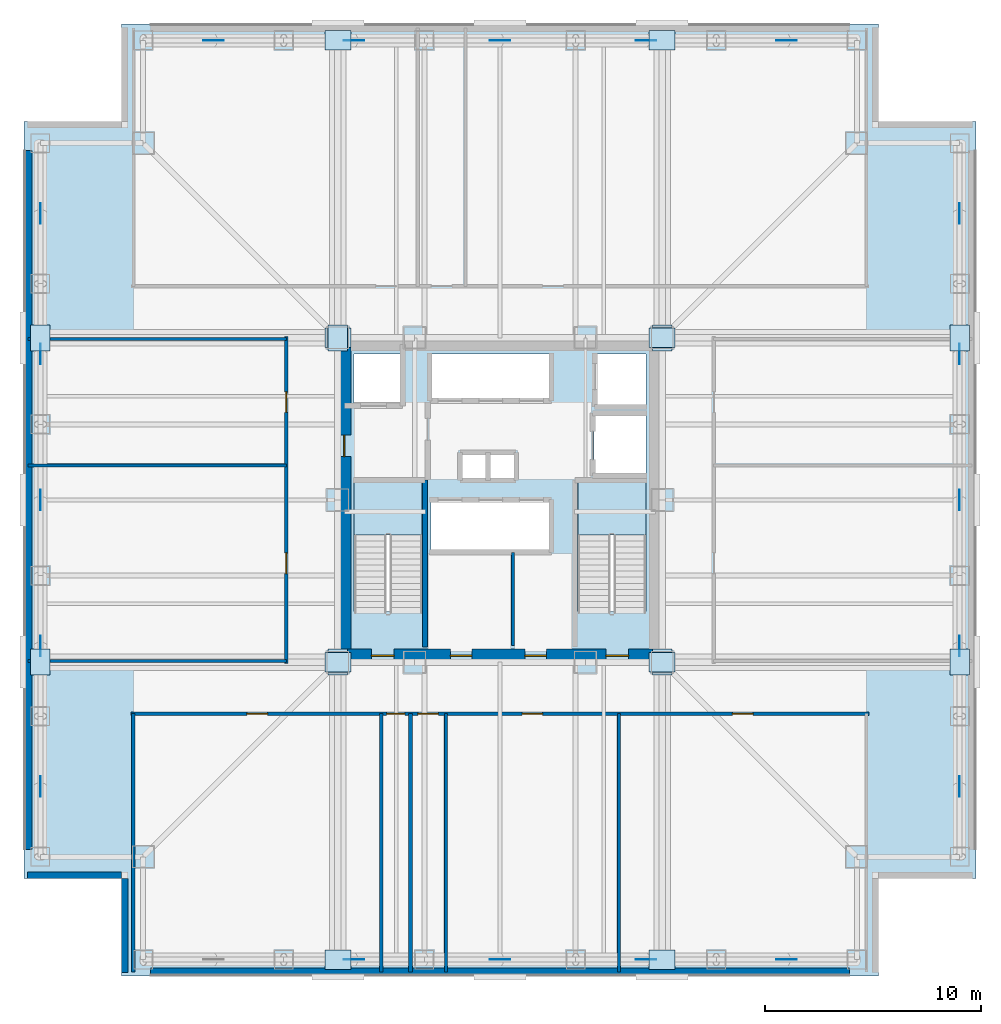
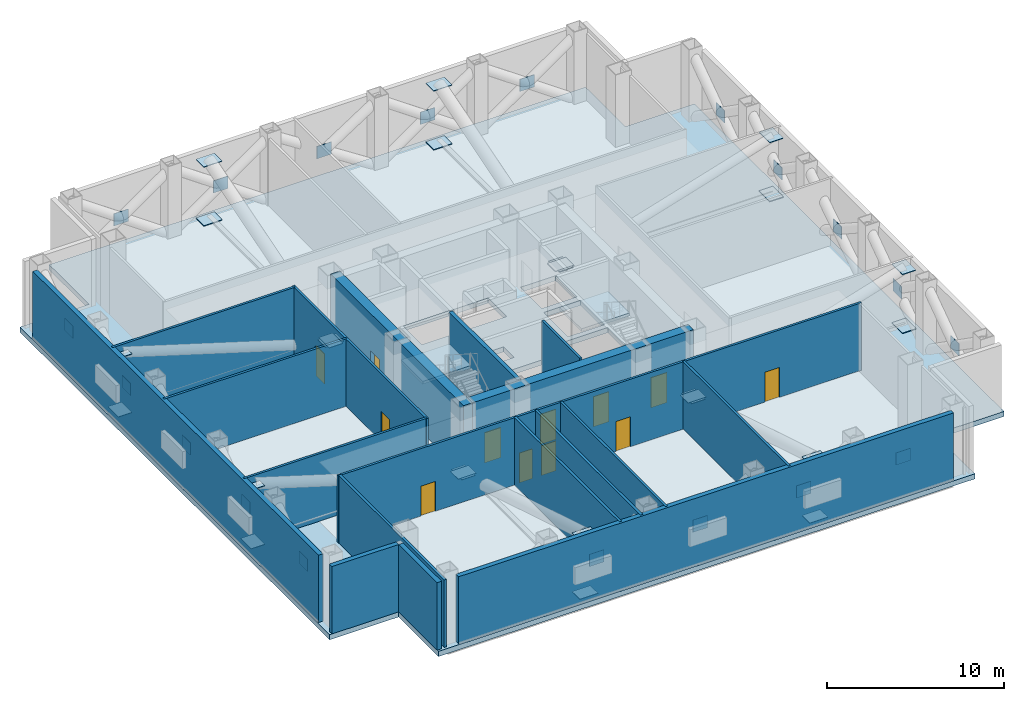
# One storey, part 3 of 8: 43 plates, 18 walls, 12 doors, 3 slabs, 12 openings, 2 elements without a shape of their own.
"""IFC4 building model written with IfcOpenShell, lengths in metres."""

from ifc_helpers import new_model, si_unit, direction, frame, frame_2d, origin, origin_2d, place, context, subcontext, project, spatial, polyline, rectangle, outline, extrude, material, layer, layer_set, type_object, element, fill, aggregate, save


model = new_model("IFC4")

# Units and contexts
model_context = context("Model", 3, precision=1e-05, world=origin(), true_north=direction((0.0, 1.0)))
body_context = subcontext(model_context, "Body", "Model", "MODEL_VIEW")
ifc_project = project(units=[si_unit("LENGTHUNIT", "METRE"), si_unit("AREAUNIT", "SQUARE_METRE"), si_unit("VOLUMEUNIT", "CUBIC_METRE"), si_unit("PLANEANGLEUNIT", "RADIAN"), si_unit("MASSUNIT", "GRAM", prefix="KILO")], contexts=[model_context])

# Site, building, storey
site_placement = place(None, origin())
site = spatial("IfcSite", under=ifc_project, at=site_placement, CompositionType="ELEMENT")
building_placement = place(site_placement, origin())
building = spatial("IfcBuilding", under=site, at=building_placement, Name="Trevonay Congress Spire", CompositionType="ELEMENT")
storey_placement = place(building_placement, frame((0.0, 0.0, 155.199951171875)))
storey = spatial("IfcBuildingStorey", under=building, at=storey_placement, Name="L40", CompositionType="ELEMENT", Elevation=155.199951171875)

# Plates
ifc_material_1 = material(Name="Steel ASTM A572 Grade 50", Category="steel")
ifc_layer_1 = layer(ifc_material_1, 0.034912109375, Name="Steel ASTM A572 Grade 50")
ifc_layer_set_1 = layer_set([ifc_layer_1], Name="Steel ASTM A572 Grade 50")
plate_type_1 = type_object("IfcPlateType", Name="PLT-GUSSET-BELT-35", PredefinedType="USERDEFINED", material=ifc_layer_set_1)
for number, where, z_axis, x_axis, name in (
    (1, (-6.75, -21.25, 1.800048828125), (0.0, 0.0, 1.0), (1.0, 0.0, 0.0), "L40 belt X-brace crossing gusset plate XN-01 S1"),
    (2, (0.0, -21.25, 1.800048828125), (0.0, 0.0, 1.0), (1.0, 0.0, 0.0), "L40 belt X-brace crossing gusset plate XN-01 S2"),
    (3, (6.75, -21.25, 1.800048828125), (0.0, 0.0, 1.0), (1.0, 0.0, 0.0), "L40 belt X-brace crossing gusset plate XN-01 S3"),
    (4, (13.25, -21.25, 1.800048828125), (0.0, 0.0, 1.0), (1.0, 0.0, 0.0), "L40 belt X-brace crossing gusset plate XN-01 S4"),
    (5, (-13.25, 21.25, 1.800048828125), (0.0, 0.0, 1.0), (1.0, 0.0, 0.0), "L40 belt X-brace crossing gusset plate XN-01 N0"),
    (6, (-6.75, 21.25, 1.800048828125), (0.0, 0.0, 1.0), (1.0, 0.0, 0.0), "L40 belt X-brace crossing gusset plate XN-01 N1"),
    (7, (0.0, 21.25, 1.800048828125), (0.0, 0.0, 1.0), (1.0, 0.0, 0.0), "L40 belt X-brace crossing gusset plate XN-01 N2"),
    (8, (6.75, 21.25, 1.800048828125), (0.0, 0.0, 1.0), (1.0, 0.0, 0.0), "L40 belt X-brace crossing gusset plate XN-01 N3"),
    (9, (13.25, 21.25, 1.800048828125), (0.0, 0.0, 1.0), (1.0, 0.0, 0.0), "L40 belt X-brace crossing gusset plate XN-01 N4"),
):
    element("IfcPlate", number, at=place(storey_placement, frame(where, z_axis=z_axis, x_axis=x_axis)), inside=storey, type_object=plate_type_1, Name=name, ObjectType="GUSSET_PLATE", PredefinedType="USERDEFINED", context=body_context, shape_type="SweptSolid", body=[
        extrude(rectangle(XDim=0.949951171875, YDim=0.034912109375, at=origin_2d()), origin(), (0.0, 0.0, 1.0), 0.85009765625),
    ])
for number, where, z_axis, x_axis, name in (
    (10, (-21.25, -13.25, 1.800048828125), (0.0, 0.0, 1.0), (1.0, 0.0, 0.0), "L40 belt X-brace crossing gusset plate XN-01 W0"),
    (11, (-21.25, -6.75, 1.800048828125), (0.0, 0.0, 1.0), (1.0, 0.0, 0.0), "L40 belt X-brace crossing gusset plate XN-01 W1"),
    (12, (-21.25, 0.0, 1.800048828125), (0.0, 0.0, 1.0), (1.0, 0.0, 0.0), "L40 belt X-brace crossing gusset plate XN-01 W2"),
    (13, (-21.25, 6.75, 1.800048828125), (0.0, 0.0, 1.0), (1.0, 0.0, 0.0), "L40 belt X-brace crossing gusset plate XN-01 W3"),
    (14, (-21.25, 13.25, 1.800048828125), (0.0, 0.0, 1.0), (1.0, 0.0, 0.0), "L40 belt X-brace crossing gusset plate XN-01 W4"),
    (15, (21.25, -13.25, 1.800048828125), (0.0, 0.0, 1.0), (1.0, 0.0, 0.0), "L40 belt X-brace crossing gusset plate XN-01 E0"),
    (16, (21.25, -6.75, 1.800048828125), (0.0, 0.0, 1.0), (1.0, 0.0, 0.0), "L40 belt X-brace crossing gusset plate XN-01 E1"),
    (17, (21.25, 0.0, 1.800048828125), (0.0, 0.0, 1.0), (1.0, 0.0, 0.0), "L40 belt X-brace crossing gusset plate XN-01 E2"),
    (18, (21.25, 6.75, 1.800048828125), (0.0, 0.0, 1.0), (1.0, 0.0, 0.0), "L40 belt X-brace crossing gusset plate XN-01 E3"),
    (19, (21.25, 13.25, 1.800048828125), (0.0, 0.0, 1.0), (1.0, 0.0, 0.0), "L40 belt X-brace crossing gusset plate XN-01 E4"),
):
    element("IfcPlate", number, at=place(storey_placement, frame(where, z_axis=z_axis, x_axis=x_axis)), inside=storey, type_object=plate_type_1, Name=name, ObjectType="GUSSET_PLATE", PredefinedType="USERDEFINED", context=body_context, shape_type="SweptSolid", body=[
        extrude(rectangle(XDim=0.034912109375, YDim=0.949951171875, at=origin_2d()), origin(), (0.0, 0.0, 1.0), 0.85009765625),
    ])
ifc_layer_2 = layer(ifc_material_1, 0.044921875, Name="Steel ASTM A572 Grade 50")
ifc_layer_set_2 = layer_set([ifc_layer_2], Name="Steel ASTM A572 Grade 50")
plate_type_2 = type_object("IfcPlateType", Name="PLT-GUSSET-INT-45", PredefinedType="USERDEFINED", material=ifc_layer_set_2)
for number, where, z_axis, x_axis, name in (
    (20, (-7.5, -7.5, 0.027587890625), (0.0, 0.0, 1.0), (1.0, 0.0, 0.0), "L40 outrigger-to-core cast-in embed gusset plate ON-01 (OS-W)"),
    (21, (-7.5, -21.25, 0.07763671875), (0.0, 0.0, 1.0), (1.0, 0.0, 0.0), "L40 outrigger outer-chord gusset plate ON-02 (OS-W)"),
    (22, (-7.5, -21.25, 4.127685546875), (0.0, 0.0, 1.0), (1.0, 0.0, 0.0), "L40 outrigger outer-diagonal gusset plate ON-02 (OS-W)"),
    (23, (7.5, -7.5, 0.027587890625), (0.0, 0.0, 1.0), (1.0, 0.0, 0.0), "L40 outrigger-to-core cast-in embed gusset plate ON-01 (OS-E)"),
    (24, (7.5, -21.25, 0.07763671875), (0.0, 0.0, 1.0), (1.0, 0.0, 0.0), "L40 outrigger outer-chord gusset plate ON-02 (OS-E)"),
    (25, (7.5, -21.25, 4.127685546875), (0.0, 0.0, 1.0), (1.0, 0.0, 0.0), "L40 outrigger outer-diagonal gusset plate ON-02 (OS-E)"),
    (26, (-7.5, 7.5, 0.027587890625), (0.0, 0.0, 1.0), (1.0, 0.0, 0.0), "L40 outrigger-to-core cast-in embed gusset plate ON-01 (ON-W)"),
    (27, (-7.5, 21.25, 0.07763671875), (0.0, 0.0, 1.0), (1.0, 0.0, 0.0), "L40 outrigger outer-chord gusset plate ON-02 (ON-W)"),
    (28, (-7.5, 21.25, 4.127685546875), (0.0, 0.0, 1.0), (1.0, 0.0, 0.0), "L40 outrigger outer-diagonal gusset plate ON-02 (ON-W)"),
    (29, (7.5, 7.5, 0.027587890625), (0.0, 0.0, 1.0), (1.0, 0.0, 0.0), "L40 outrigger-to-core cast-in embed gusset plate ON-01 (ON-E)"),
    (30, (7.5, 21.25, 0.07763671875), (0.0, 0.0, 1.0), (1.0, 0.0, 0.0), "L40 outrigger outer-chord gusset plate ON-02 (ON-E)"),
    (31, (7.5, 21.25, 4.127685546875), (0.0, 0.0, 1.0), (1.0, 0.0, 0.0), "L40 outrigger outer-diagonal gusset plate ON-02 (ON-E)"),
    (32, (-7.5, -7.5, 0.027587890625), (0.0, 0.0, 1.0), (0.0, 1.0, 0.0), "L40 outrigger-to-core cast-in embed gusset plate ON-01 (OW-S)"),
    (33, (-21.25, -7.5, 0.07763671875), (0.0, 0.0, 1.0), (0.0, 1.0, 0.0), "L40 outrigger outer-chord gusset plate ON-02 (OW-S)"),
    (34, (-21.25, -7.5, 4.127685546875), (0.0, 0.0, 1.0), (0.0, 1.0, 0.0), "L40 outrigger outer-diagonal gusset plate ON-02 (OW-S)"),
    (35, (-7.5, 7.5, 0.027587890625), (0.0, 0.0, 1.0), (0.0, 1.0, 0.0), "L40 outrigger-to-core cast-in embed gusset plate ON-01 (OW-N)"),
    (36, (-21.25, 7.5, 0.07763671875), (0.0, 0.0, 1.0), (0.0, 1.0, 0.0), "L40 outrigger outer-chord gusset plate ON-02 (OW-N)"),
    (37, (-21.25, 7.5, 4.127685546875), (0.0, 0.0, 1.0), (0.0, 1.0, 0.0), "L40 outrigger outer-diagonal gusset plate ON-02 (OW-N)"),
    (38, (7.5, -7.5, 0.027587890625), (0.0, 0.0, 1.0), (0.0, 1.0, 0.0), "L40 outrigger-to-core cast-in embed gusset plate ON-01 (OE-S)"),
    (39, (21.25, -7.5, 0.07763671875), (0.0, 0.0, 1.0), (0.0, 1.0, 0.0), "L40 outrigger outer-chord gusset plate ON-02 (OE-S)"),
    (40, (21.25, -7.5, 4.127685546875), (0.0, 0.0, 1.0), (0.0, 1.0, 0.0), "L40 outrigger outer-diagonal gusset plate ON-02 (OE-S)"),
    (41, (7.5, 7.5, 0.027587890625), (0.0, 0.0, 1.0), (0.0, 1.0, 0.0), "L40 outrigger-to-core cast-in embed gusset plate ON-01 (OE-N)"),
    (42, (21.25, 7.5, 0.07763671875), (0.0, 0.0, 1.0), (0.0, 1.0, 0.0), "L40 outrigger outer-chord gusset plate ON-02 (OE-N)"),
    (43, (21.25, 7.5, 4.127685546875), (0.0, 0.0, 1.0), (0.0, 1.0, 0.0), "L40 outrigger outer-diagonal gusset plate ON-02 (OE-N)"),
):
    element("IfcPlate", number, at=place(storey_placement, frame(where, z_axis=z_axis, x_axis=x_axis)), inside=storey, type_object=plate_type_2, Name=name, ObjectType="GUSSET_PLATE", PredefinedType="USERDEFINED", context=body_context, shape_type="SweptSolid", body=[
        extrude(rectangle(XDim=1.199951171875, YDim=0.89990234375, at=origin_2d()), origin(), (0.0, 0.0, 1.0), 0.044921875),
    ])

# Slab
ifc_material_2 = material(Name="Concrete C40/50", Category="concrete")
ifc_layer_3 = layer(ifc_material_2, 0.35009765625, Name="Concrete C40/50")
ifc_layer_set_3 = layer_set([ifc_layer_3], Name="Concrete C40/50")
slab_type_1 = type_object("IfcSlabType", Name="SLB-POD-350", PredefinedType="FLOOR", material=ifc_layer_set_3)
slab_1_placement = place(storey_placement, frame((0.0, 0.0, -0.349853515625)))
element("IfcSlab", 44, at=slab_1_placement, inside=storey, type_object=slab_type_1, Name="L40 structural floor slab", PredefinedType="FLOOR", context=body_context, shape_type="SweptSolid", body=[
    extrude(outline(polyline([(-17.5, -22.0), (17.5, -22.0), (17.5, -17.5), (22.0, -17.5), (22.0, 17.5), (17.5, 17.5), (17.5, 22.0), (-17.5, 22.0), (-17.5, 17.5), (-22.0, 17.5), (-22.0, -17.5), (-17.5, -17.5), (-17.5, -22.0)]), holes=[polyline([(-3.60009765625, -5.14990234375), (-3.60009765625, 0.85009765625), (-6.75, 0.85009765625), (-6.75, -5.14990234375), (-3.60009765625, -5.14990234375)]), polyline([(6.75, -5.14990234375), (6.75, 0.85009765625), (3.60009765625, 0.85009765625), (3.60009765625, -5.14990234375), (6.75, -5.14990234375)]), polyline([(-3.199951171875, -2.35009765625), (2.340087890625, -2.35009765625), (2.340087890625, -0.050048828125), (-3.199951171875, -0.050048828125), (-3.199951171875, -2.35009765625)]), polyline([(-3.199951171875, 4.64990234375), (2.340087890625, 4.64990234375), (2.340087890625, 6.75), (-3.199951171875, 6.75), (-3.199951171875, 4.64990234375)]), polyline([(-6.75, 4.35009765625), (-4.449951171875, 4.35009765625), (-4.449951171875, 6.75), (-6.75, 6.75), (-6.75, 4.35009765625)]), polyline([(4.449951171875, 4.35009765625), (6.75, 4.35009765625), (6.75, 6.75), (4.449951171875, 6.75), (4.449951171875, 4.35009765625)]), polyline([(4.35009765625, 1.199951171875), (6.75, 1.199951171875), (6.75, 3.949951171875), (4.35009765625, 3.949951171875), (4.35009765625, 1.199951171875)]), polyline([(-1.800048828125, 0.949951171875), (0.699951171875, 0.949951171875), (0.699951171875, 2.14990234375), (-1.800048828125, 2.14990234375), (-1.800048828125, 0.949951171875)])]), origin(), (0.0, 0.0, 1.0), 0.349853515625),
])

# Stair, slab
stair_type_1 = type_object("IfcStairType", Name="STR-ST-1", PredefinedType="HALF_TURN_STAIR", material=ifc_material_2)
stair_1_placement = place(storey_placement, origin())
stair_1 = element("IfcStair", 45, at=stair_1_placement, inside=storey, type_object=stair_type_1, Name="L40 Protected Exit Stair ST-1", PredefinedType="HALF_TURN_STAIR")
ifc_layer_4 = layer(ifc_material_2, 0.199951171875, Name="Concrete C40/50")
ifc_layer_set_4 = layer_set([ifc_layer_4], Name="Concrete C40/50")
slab_type_2 = type_object("IfcSlabType", Name="SLB-STAIR-LAND-200", PredefinedType="LANDING", material=ifc_layer_set_4)
slab_2_placement = place(storey_placement, frame((0.0, 0.0, 2.300048828125)))
slab_2 = element("IfcSlab", 46, at=slab_2_placement, type_object=slab_type_2, Name="ST-1 landing 1", PredefinedType="LANDING", context=body_context, shape_type="SweptSolid", body=[
    extrude(outline(polyline([(-3.60009765625, -1.610107421875), (-3.60009765625, 0.85009765625), (-6.75, 0.85009765625), (-6.75, -1.610107421875), (-3.60009765625, -1.610107421875)])), origin(), (0.0, 0.0, 1.0), 0.199951171875),
])
aggregate(stair_1, [slab_2])

stair_type_2 = type_object("IfcStairType", Name="STR-ST-2", PredefinedType="HALF_TURN_STAIR", material=ifc_material_2)
stair_2_placement = place(storey_placement, origin())
stair_2 = element("IfcStair", 47, at=stair_2_placement, inside=storey, type_object=stair_type_2, Name="L40 Protected Exit Stair ST-2", PredefinedType="HALF_TURN_STAIR")
slab_3_placement = place(storey_placement, frame((0.0, 0.0, 2.300048828125)))
slab_3 = element("IfcSlab", 48, at=slab_3_placement, type_object=slab_type_2, Name="ST-2 landing 1", PredefinedType="LANDING", context=body_context, shape_type="SweptSolid", body=[
    extrude(outline(polyline([(6.75, -1.610107421875), (6.75, 0.85009765625), (3.60009765625, 0.85009765625), (3.60009765625, -1.610107421875), (6.75, -1.610107421875)])), origin(), (0.0, 0.0, 1.0), 0.199951171875),
])
aggregate(stair_2, [slab_3])

# Wall, openings, doors
ifc_material_3 = material(Name="Concrete C60/75", Category="concrete")
ifc_layer_5 = layer(ifc_material_3, 0.60009765625, Name="Concrete C60/75")
ifc_layer_set_5 = layer_set([ifc_layer_5], Name="Concrete C60/75")
wall_type_1 = type_object("IfcWallType", Name="WAL-CORE-600", PredefinedType="SHEAR", material=ifc_layer_set_5)
wall_1_placement = place(storey_placement, frame((-7.5, -7.199951171875, 0.0), z_axis=(0.0, 0.0, 1.0), x_axis=(1.0, 0.0, 0.0)))
wall_1 = element("IfcWall", 49, at=wall_1_placement, inside=storey, type_object=wall_type_1, Name="L40 South structural core shear wall", PredefinedType="SHEAR", context=body_context, shape_type="SweptSolid", body=[
    extrude(rectangle(XDim=15.0, YDim=0.60009765625, at=frame_2d((7.5, 0.0))), origin(), (0.0, 0.0, 1.0), 4.650146484375),
])
opening_1_placement = place(wall_1_placement, frame((1.550048828125, 0.0, 0.0)))
opening_1 = element("IfcOpeningElement", 50, at=opening_1_placement, cuts=wall_1, Name="Opening D05", PredefinedType="OPENING", context=body_context, shape_type="SweptSolid", body=[
    extrude(rectangle(XDim=1.050048828125, YDim=2.080078125, at=frame_2d((0.52490234375, 1.0400390625))), frame((0.0, 0.31005859375, 0.0), z_axis=(0.0, -1.0, 0.0), x_axis=(1.0, 0.0, 0.0)), (0.0, 0.0, 1.0), 0.6201171875),
])
opening_2_placement = place(wall_1_placement, frame((12.39990234375, 0.0, 0.0)))
opening_2 = element("IfcOpeningElement", 51, at=opening_2_placement, cuts=wall_1, Name="Opening D05", PredefinedType="OPENING", context=body_context, shape_type="SweptSolid", body=[
    extrude(rectangle(XDim=1.050048828125, YDim=2.080078125, at=frame_2d((0.52490234375, 1.0400390625))), frame((0.0, 0.31005859375, 0.0), z_axis=(0.0, -1.0, 0.0), x_axis=(1.0, 0.0, 0.0)), (0.0, 0.0, 1.0), 0.6201171875),
])
opening_3_placement = place(wall_1_placement, frame((5.199951171875, 0.0, 0.0)))
opening_3 = element("IfcOpeningElement", 52, at=opening_3_placement, cuts=wall_1, Name="Opening D06", PredefinedType="OPENING", context=body_context, shape_type="SweptSolid", body=[
    extrude(rectangle(XDim=1.0, YDim=2.080078125, at=frame_2d((0.5, 1.0400390625))), frame((0.0, 0.31005859375, 0.0), z_axis=(0.0, -1.0, 0.0), x_axis=(1.0, 0.0, 0.0)), (0.0, 0.0, 1.0), 0.6201171875),
])
opening_4_placement = place(wall_1_placement, frame((8.64990234375, 0.0, 0.0)))
opening_4 = element("IfcOpeningElement", 53, at=opening_4_placement, cuts=wall_1, Name="Opening D06", PredefinedType="OPENING", context=body_context, shape_type="SweptSolid", body=[
    extrude(rectangle(XDim=1.0, YDim=2.080078125, at=frame_2d((0.5, 1.0400390625))), frame((0.0, 0.31005859375, 0.0), z_axis=(0.0, -1.0, 0.0), x_axis=(1.0, 0.0, 0.0)), (0.0, 0.0, 1.0), 0.6201171875),
])
door_type_1 = type_object("IfcDoorType", Name="DOR-FIRE-100", OperationType="NOTDEFINED", PredefinedType="DOOR", material=ifc_material_1)
door_1_placement = place(opening_3_placement, origin())
door_1 = element("IfcDoor", 54, at=door_1_placement, inside=storey, type_object=door_type_1, Name="L40 South Core Room 1 Door", OperationType="SINGLE_SWING_RIGHT", OverallHeight=2.080078125, OverallWidth=1.0, PredefinedType="DOOR", context=body_context, shape_type="SweptSolid", body=[
    extrude(rectangle(XDim=1.0, YDim=2.080078125, at=frame_2d((0.5, 1.0400390625))), frame((0.0, 0.02490234375, 0.0), z_axis=(0.0, -1.0, 0.0), x_axis=(1.0, 0.0, 0.0)), (0.0, 0.0, 1.0), 0.050048828125),
])
fill(opening_3, door_1)
door_2_placement = place(opening_4_placement, origin())
door_2 = element("IfcDoor", 55, at=door_2_placement, inside=storey, type_object=door_type_1, Name="L40 South Core Room 2 Door", OperationType="SINGLE_SWING_LEFT", OverallHeight=2.080078125, OverallWidth=1.0, PredefinedType="DOOR", context=body_context, shape_type="SweptSolid", body=[
    extrude(rectangle(XDim=1.0, YDim=2.080078125, at=frame_2d((0.5, 1.0400390625))), frame((0.0, 0.02490234375, 0.0), z_axis=(0.0, -1.0, 0.0), x_axis=(1.0, 0.0, 0.0)), (0.0, 0.0, 1.0), 0.050048828125),
])
fill(opening_4, door_2)
door_type_2 = type_object("IfcDoorType", Name="DOR-STAIR-110", OperationType="NOTDEFINED", PredefinedType="DOOR", material=ifc_material_1)
door_3_placement = place(opening_1_placement, origin())
door_3 = element("IfcDoor", 56, at=door_3_placement, inside=storey, type_object=door_type_2, Name="L40 Protected Stair ST-1 Door", OperationType="SINGLE_SWING_LEFT", OverallHeight=2.080078125, OverallWidth=1.050048828125, PredefinedType="DOOR", context=body_context, shape_type="SweptSolid", body=[
    extrude(rectangle(XDim=1.050048828125, YDim=2.080078125, at=frame_2d((0.52490234375, 1.0400390625))), frame((0.0, 0.02490234375, 0.0), z_axis=(0.0, -1.0, 0.0), x_axis=(1.0, 0.0, 0.0)), (0.0, 0.0, 1.0), 0.050048828125),
])
fill(opening_1, door_3)
door_4_placement = place(opening_2_placement, origin())
door_4 = element("IfcDoor", 57, at=door_4_placement, inside=storey, type_object=door_type_2, Name="L40 Protected Stair ST-2 Door", OperationType="SINGLE_SWING_RIGHT", OverallHeight=2.080078125, OverallWidth=1.050048828125, PredefinedType="DOOR", context=body_context, shape_type="SweptSolid", body=[
    extrude(rectangle(XDim=1.050048828125, YDim=2.080078125, at=frame_2d((0.52490234375, 1.0400390625))), frame((0.0, 0.02490234375, 0.0), z_axis=(0.0, -1.0, 0.0), x_axis=(1.0, 0.0, 0.0)), (0.0, 0.0, 1.0), 0.050048828125),
])
fill(opening_2, door_4)

# Wall, opening, door
wall_2_placement = place(storey_placement, frame((-7.199951171875, -7.5, 0.0), z_axis=(0.0, 0.0, 1.0), x_axis=(0.0, 1.0, 0.0)))
wall_2 = element("IfcWall", 58, at=wall_2_placement, inside=storey, type_object=wall_type_1, Name="L40 West structural core shear wall", PredefinedType="SHEAR", context=body_context, shape_type="SweptSolid", body=[
    extrude(rectangle(XDim=15.0, YDim=0.60009765625, at=frame_2d((7.5, 0.0))), origin(), (0.0, 0.0, 1.0), 4.650146484375),
])
opening_5_placement = place(wall_2_placement, frame((9.5, 0.0, 0.0)))
opening_5 = element("IfcOpeningElement", 59, at=opening_5_placement, cuts=wall_2, Name="Opening D06", PredefinedType="OPENING", context=body_context, shape_type="SweptSolid", body=[
    extrude(rectangle(XDim=1.0, YDim=2.080078125, at=frame_2d((0.5, 1.0400390625))), frame((0.0, 0.31005859375, 0.0), z_axis=(0.0, -1.0, 0.0), x_axis=(1.0, 0.0, 0.0)), (0.0, 0.0, 1.0), 0.6201171875),
])
door_5_placement = place(opening_5_placement, origin())
door_5 = element("IfcDoor", 60, at=door_5_placement, inside=storey, type_object=door_type_1, Name="L40 Firefighting Lift Lobby West Corridor Door", OperationType="SINGLE_SWING_LEFT", OverallHeight=2.080078125, OverallWidth=1.0, PredefinedType="DOOR", context=body_context, shape_type="SweptSolid", body=[
    extrude(rectangle(XDim=1.0, YDim=2.080078125, at=frame_2d((0.5, 1.0400390625))), frame((0.0, 0.02490234375, 0.0), z_axis=(0.0, -1.0, 0.0), x_axis=(1.0, 0.0, 0.0)), (0.0, 0.0, 1.0), 0.050048828125),
])
fill(opening_5, door_5)

# Wall, openings, doors
ifc_layer_6 = layer(ifc_material_2, 0.14990234375, Name="Concrete C40/50")
ifc_layer_set_6 = layer_set([ifc_layer_6], Name="Concrete C40/50")
wall_type_2 = type_object("IfcWallType", Name="WAL-CORR-150", PredefinedType="PARTITIONING", material=ifc_layer_set_6)
wall_3_placement = place(storey_placement, frame((-17.070068359375, -9.8798828125, 0.0), z_axis=(0.0, 0.0, 1.0), x_axis=(1.0, 0.0, 0.0)))
wall_3 = element("IfcWall", 61, at=wall_3_placement, inside=storey, type_object=wall_type_2, Name="L40 interior wall WP-L40S-COR", PredefinedType="PARTITIONING", context=body_context, shape_type="SweptSolid", body=[
    extrude(rectangle(XDim=34.14013671875, YDim=0.14990234375, at=frame_2d((17.070068359375, 0.0))), origin(), (0.0, 0.0, 1.0), 4.650146484375),
])
opening_6_placement = place(wall_3_placement, frame((5.3701171875, 0.0, 0.0)))
opening_6 = element("IfcOpeningElement", 62, at=opening_6_placement, cuts=wall_3, Name="Opening D07", PredefinedType="OPENING", context=body_context, shape_type="SweptSolid", body=[
    extrude(rectangle(XDim=0.949951171875, YDim=2.06005859375, at=frame_2d((0.47509765625, 1.030029296875))), frame((0.0, 0.0849609375, 0.0), z_axis=(0.0, -1.0, 0.0), x_axis=(1.0, 0.0, 0.0)), (0.0, 0.0, 1.0), 0.169921875),
])
opening_7_placement = place(wall_3_placement, frame((11.824951171875, 0.0, 0.0)))
opening_7 = element("IfcOpeningElement", 63, at=opening_7_placement, cuts=wall_3, Name="Opening D10", PredefinedType="OPENING", context=body_context, shape_type="SweptSolid", body=[
    extrude(rectangle(XDim=0.85009765625, YDim=2.050048828125, at=frame_2d((0.425048828125, 1.02490234375))), frame((0.0, 0.0849609375, 0.0), z_axis=(0.0, -1.0, 0.0), x_axis=(1.0, 0.0, 0.0)), (0.0, 0.0, 1.0), 0.169921875),
])
opening_8_placement = place(wall_3_placement, frame((13.27490234375, 0.0, 0.0)))
opening_8 = element("IfcOpeningElement", 64, at=opening_8_placement, cuts=wall_3, Name="Opening D07", PredefinedType="OPENING", context=body_context, shape_type="SweptSolid", body=[
    extrude(rectangle(XDim=0.949951171875, YDim=2.06005859375, at=frame_2d((0.47509765625, 1.030029296875))), frame((0.0, 0.0849609375, 0.0), z_axis=(0.0, -1.0, 0.0), x_axis=(1.0, 0.0, 0.0)), (0.0, 0.0, 1.0), 0.169921875),
])
opening_9_placement = place(wall_3_placement, frame((18.094970703125, 0.0, 0.0)))
opening_9 = element("IfcOpeningElement", 65, at=opening_9_placement, cuts=wall_3, Name="Opening D07", PredefinedType="OPENING", context=body_context, shape_type="SweptSolid", body=[
    extrude(rectangle(XDim=0.949951171875, YDim=2.06005859375, at=frame_2d((0.47509765625, 1.030029296875))), frame((0.0, 0.0849609375, 0.0), z_axis=(0.0, -1.0, 0.0), x_axis=(1.0, 0.0, 0.0)), (0.0, 0.0, 1.0), 0.169921875),
])
opening_10_placement = place(wall_3_placement, frame((27.820068359375, 0.0, 0.0)))
opening_10 = element("IfcOpeningElement", 66, at=opening_10_placement, cuts=wall_3, Name="Opening D07", PredefinedType="OPENING", context=body_context, shape_type="SweptSolid", body=[
    extrude(rectangle(XDim=0.949951171875, YDim=2.06005859375, at=frame_2d((0.47509765625, 1.030029296875))), frame((0.0, 0.0849609375, 0.0), z_axis=(0.0, -1.0, 0.0), x_axis=(1.0, 0.0, 0.0)), (0.0, 0.0, 1.0), 0.169921875),
])
ifc_material_4 = material(Name="Pale Anodised Aluminium EN AW-6063-T6", Category="aluminium")
door_type_3 = type_object("IfcDoorType", Name="DOR-OFFICE-95", OperationType="NOTDEFINED", PredefinedType="DOOR", material=ifc_material_4)
door_6_placement = place(opening_6_placement, origin())
door_6 = element("IfcDoor", 67, at=door_6_placement, inside=storey, type_object=door_type_3, Name="L40 Chiller and Heat-Pump Plant Door", OperationType="SINGLE_SWING_LEFT", OverallHeight=2.06005859375, OverallWidth=0.949951171875, PredefinedType="DOOR", context=body_context, shape_type="SweptSolid", body=[
    extrude(rectangle(XDim=0.949951171875, YDim=2.06005859375, at=frame_2d((0.47509765625, 1.030029296875))), frame((0.0, 0.02490234375, 0.0), z_axis=(0.0, -1.0, 0.0), x_axis=(1.0, 0.0, 0.0)), (0.0, 0.0, 1.0), 0.050048828125),
])
fill(opening_6, door_6)
door_7_placement = place(opening_8_placement, origin())
door_7 = element("IfcDoor", 68, at=door_7_placement, inside=storey, type_object=door_type_3, Name="L40 Floor Supplies and Copy Room Door", OperationType="SINGLE_SWING_LEFT", OverallHeight=2.06005859375, OverallWidth=0.949951171875, PredefinedType="DOOR", context=body_context, shape_type="SweptSolid", body=[
    extrude(rectangle(XDim=0.949951171875, YDim=2.06005859375, at=frame_2d((0.47509765625, 1.030029296875))), frame((0.0, 0.02490234375, 0.0), z_axis=(0.0, -1.0, 0.0), x_axis=(1.0, 0.0, 0.0)), (0.0, 0.0, 1.0), 0.050048828125),
])
fill(opening_8, door_7)
door_8_placement = place(opening_9_placement, origin())
door_8 = element("IfcDoor", 69, at=door_8_placement, inside=storey, type_object=door_type_3, Name="L40 Primary AHU Supply Plant Door", OperationType="SINGLE_SWING_RIGHT", OverallHeight=2.06005859375, OverallWidth=0.949951171875, PredefinedType="DOOR", context=body_context, shape_type="SweptSolid", body=[
    extrude(rectangle(XDim=0.949951171875, YDim=2.06005859375, at=frame_2d((0.47509765625, 1.030029296875))), frame((0.0, 0.02490234375, 0.0), z_axis=(0.0, -1.0, 0.0), x_axis=(1.0, 0.0, 0.0)), (0.0, 0.0, 1.0), 0.050048828125),
])
fill(opening_9, door_8)
door_9_placement = place(opening_10_placement, origin())
door_9 = element("IfcDoor", 70, at=door_9_placement, inside=storey, type_object=door_type_3, Name="L40 Heat-Recovery Exhaust Plant Door", OperationType="SINGLE_SWING_LEFT", OverallHeight=2.06005859375, OverallWidth=0.949951171875, PredefinedType="DOOR", context=body_context, shape_type="SweptSolid", body=[
    extrude(rectangle(XDim=0.949951171875, YDim=2.06005859375, at=frame_2d((0.47509765625, 1.030029296875))), frame((0.0, 0.02490234375, 0.0), z_axis=(0.0, -1.0, 0.0), x_axis=(1.0, 0.0, 0.0)), (0.0, 0.0, 1.0), 0.050048828125),
])
fill(opening_10, door_9)
door_type_4 = type_object("IfcDoorType", Name="DOR-WC-85", OperationType="NOTDEFINED", PredefinedType="DOOR", material=ifc_material_4)
door_10_placement = place(opening_7_placement, origin())
door_10 = element("IfcDoor", 71, at=door_10_placement, inside=storey, type_object=door_type_4, Name="L40 Accessible Refuge WC Door", OperationType="SINGLE_SWING_RIGHT", OverallHeight=2.050048828125, OverallWidth=0.85009765625, PredefinedType="DOOR", context=body_context, shape_type="SweptSolid", body=[
    extrude(rectangle(XDim=0.85009765625, YDim=2.050048828125, at=frame_2d((0.425048828125, 1.02490234375))), frame((0.0, 0.02490234375, 0.0), z_axis=(0.0, -1.0, 0.0), x_axis=(1.0, 0.0, 0.0)), (0.0, 0.0, 1.0), 0.050048828125),
])
fill(opening_7, door_10)

wall_4_placement = place(storey_placement, frame((-9.8798828125, -7.570068359375, 0.0), z_axis=(0.0, 0.0, 1.0), x_axis=(0.0, 1.0, 0.0)))
wall_4 = element("IfcWall", 72, at=wall_4_placement, inside=storey, type_object=wall_type_2, Name="L40 interior wall WP-L40W-COR", PredefinedType="PARTITIONING", context=body_context, shape_type="SweptSolid", body=[
    extrude(rectangle(XDim=15.14013671875, YDim=0.14990234375, at=frame_2d((7.570068359375, 0.0))), origin(), (0.0, 0.0, 1.0), 4.650146484375),
])
opening_11_placement = place(wall_4_placement, frame((4.169921875, 0.0, 0.0)))
opening_11 = element("IfcOpeningElement", 73, at=opening_11_placement, cuts=wall_4, Name="Opening D07", PredefinedType="OPENING", context=body_context, shape_type="SweptSolid", body=[
    extrude(rectangle(XDim=0.949951171875, YDim=2.06005859375, at=frame_2d((0.47509765625, 1.030029296875))), frame((0.0, 0.0849609375, 0.0), z_axis=(0.0, -1.0, 0.0), x_axis=(1.0, 0.0, 0.0)), (0.0, 0.0, 1.0), 0.169921875),
])
opening_12_placement = place(wall_4_placement, frame((11.6201171875, 0.0, 0.0)))
opening_12 = element("IfcOpeningElement", 74, at=opening_12_placement, cuts=wall_4, Name="Opening D07", PredefinedType="OPENING", context=body_context, shape_type="SweptSolid", body=[
    extrude(rectangle(XDim=0.949951171875, YDim=2.06005859375, at=frame_2d((0.47509765625, 1.030029296875))), frame((0.0, 0.0849609375, 0.0), z_axis=(0.0, -1.0, 0.0), x_axis=(1.0, 0.0, 0.0)), (0.0, 0.0, 1.0), 0.169921875),
])
door_11_placement = place(opening_11_placement, origin())
door_11 = element("IfcDoor", 75, at=door_11_placement, inside=storey, type_object=door_type_3, Name="L40 Refuge Area West Door", OperationType="SINGLE_SWING_LEFT", OverallHeight=2.06005859375, OverallWidth=0.949951171875, PredefinedType="DOOR", context=body_context, shape_type="SweptSolid", body=[
    extrude(rectangle(XDim=0.949951171875, YDim=2.06005859375, at=frame_2d((0.47509765625, 1.030029296875))), frame((0.0, 0.02490234375, 0.0), z_axis=(0.0, -1.0, 0.0), x_axis=(1.0, 0.0, 0.0)), (0.0, 0.0, 1.0), 0.050048828125),
])
fill(opening_11, door_11)
door_12_placement = place(opening_12_placement, origin())
door_12 = element("IfcDoor", 76, at=door_12_placement, inside=storey, type_object=door_type_3, Name="L40 Pressurization Fan Room West Door", OperationType="SINGLE_SWING_RIGHT", OverallHeight=2.06005859375, OverallWidth=0.949951171875, PredefinedType="DOOR", context=body_context, shape_type="SweptSolid", body=[
    extrude(rectangle(XDim=0.949951171875, YDim=2.06005859375, at=frame_2d((0.47509765625, 1.030029296875))), frame((0.0, 0.02490234375, 0.0), z_axis=(0.0, -1.0, 0.0), x_axis=(1.0, 0.0, 0.0)), (0.0, 0.0, 1.0), 0.050048828125),
])
fill(opening_12, door_12)

# Walls
ifc_material_5 = material(Name="Precast concrete C40/50", Category="concrete")
ifc_layer_7 = layer(ifc_material_5, 0.300048828125, Name="Precast concrete C40/50")
ifc_layer_set_7 = layer_set([ifc_layer_7], Name="Precast concrete C40/50")
wall_type_3 = type_object("IfcWallType", Name="WAL-EXT-PRECAST-300", PredefinedType="SOLIDWALL", material=ifc_layer_set_7)
for number, where, z_axis, x_axis, name in (
    (77, (-16.14990234375, -21.800048828125, 0.0), (0.0, 0.0, 1.0), (1.0, 0.0, 0.0), "L40 S outrigger plant backup wall"),
    (78, (-21.800048828125, -16.14990234375, 0.0), (0.0, 0.0, 1.0), (0.0, 1.0, 0.0), "L40 W outrigger plant backup wall"),
):
    element("IfcWall", number, at=place(storey_placement, frame(where, z_axis=z_axis, x_axis=x_axis)), inside=storey, type_object=wall_type_3, Name=name, PredefinedType="SOLIDWALL", context=body_context, shape_type="SweptSolid", body=[
        extrude(rectangle(XDim=32.2998046875, YDim=0.300048828125, at=frame_2d((16.14990234375, 0.0))), origin(), (0.0, 0.0, 1.0), 4.650146484375),
    ])
for number, where, z_axis, x_axis, name in (
    (79, (-17.35009765625, -21.85009765625, 0.0), (0.0, 0.0, 1.0), (0.0, 1.0, 0.0), "L40 SW plant notch wall 1"),
    (80, (-21.85009765625, -17.35009765625, 0.0), (0.0, 0.0, 1.0), (1.0, 0.0, 0.0), "L40 SW plant notch wall 2"),
):
    element("IfcWall", number, at=place(storey_placement, frame(where, z_axis=z_axis, x_axis=x_axis)), inside=storey, type_object=wall_type_3, Name=name, PredefinedType="SOLIDWALL", context=body_context, shape_type="SweptSolid", body=[
        extrude(rectangle(XDim=4.35009765625, YDim=0.300048828125, at=frame_2d((2.175048828125, 0.0))), origin(), (0.0, 0.0, 1.0), 4.650146484375),
    ])
ifc_layer_8 = layer(ifc_material_2, 0.14990234375, Name="Concrete C40/50")
ifc_layer_set_8 = layer_set([ifc_layer_8], Name="Concrete C40/50")
wall_type_4 = type_object("IfcWallType", Name="WAL-PART-150", PredefinedType="PARTITIONING", material=ifc_layer_set_8)
wall_5_placement = place(storey_placement, frame((0.60009765625, -6.719970703125, 0.0), z_axis=(0.0, 0.0, 1.0), x_axis=(0.0, 1.0, 0.0)))
element("IfcWall", 81, at=wall_5_placement, inside=storey, type_object=wall_type_4, Name="L40 interior wall CW-F1V-L40", PredefinedType="PARTITIONING", context=body_context, shape_type="SweptSolid", body=[
    extrude(rectangle(XDim=4.2900390625, YDim=0.14990234375, at=frame_2d((2.14501953125, 0.0))), origin(), (0.0, 0.0, 1.0), 4.650146484375),
])
for number, where, z_axis, x_axis, name in (
    (82, (-2.5, -21.820068359375, 0.0), (0.0, 0.0, 1.0), (0.0, 1.0, 0.0), "L40 interior wall WP-L40S-DIV3"),
    (83, (5.5, -21.820068359375, 0.0), (0.0, 0.0, 1.0), (0.0, 1.0, 0.0), "L40 interior wall WP-L40S-DIV4"),
    (84, (-21.820068359375, -7.449951171875, 0.0), (0.0, 0.0, 1.0), (1.0, 0.0, 0.0), "L40 interior wall WP-L40W-DIV1"),
    (85, (-21.820068359375, 1.60009765625, 0.0), (0.0, 0.0, 1.0), (1.0, 0.0, 0.0), "L40 interior wall WP-L40W-DIV2"),
    (86, (-21.820068359375, 7.449951171875, 0.0), (0.0, 0.0, 1.0), (1.0, 0.0, 0.0), "L40 interior wall WP-L40W-DIV3"),
):
    element("IfcWall", number, at=place(storey_placement, frame(where, z_axis=z_axis, x_axis=x_axis)), inside=storey, type_object=wall_type_4, Name=name, PredefinedType="PARTITIONING", context=body_context, shape_type="SweptSolid", body=[
        extrude(rectangle(XDim=11.940185546875, YDim=0.14990234375, at=frame_2d((5.97021484375, 0.0))), origin(), (0.0, 0.0, 1.0), 4.650146484375),
    ])
ifc_layer_9 = layer(ifc_material_2, 0.25, Name="Concrete C40/50")
ifc_layer_set_9 = layer_set([ifc_layer_9], Name="Concrete C40/50")
wall_type_5 = type_object("IfcWallType", Name="WAL-SHAFT-LB-250", PredefinedType="SHEAR", material=ifc_layer_set_9)
wall_6_placement = place(storey_placement, frame((-3.469970703125, -6.800048828125, 0.0), z_axis=(0.0, 0.0, 1.0), x_axis=(0.0, 1.0, 0.0)))
element("IfcWall", 87, at=wall_6_placement, inside=storey, type_object=wall_type_5, Name="L40 interior shaft wall WSH-L40-ST1-E", PredefinedType="SHEAR", context=body_context, shape_type="SweptSolid", body=[
    extrude(rectangle(XDim=7.719970703125, YDim=0.25, at=frame_2d((3.85986328125, 0.0))), origin(), (0.0, 0.0, 1.0), 4.650146484375),
])
ifc_layer_10 = layer(ifc_material_2, 0.1650390625, Name="Concrete C40/50")
ifc_layer_set_10 = layer_set([ifc_layer_10], Name="Concrete C40/50")
wall_type_6 = type_object("IfcWallType", Name="WAL-WET-165", PredefinedType="PLUMBINGWALL", material=ifc_layer_set_10)
for number, where, z_axis, x_axis, name in (
    (88, (-4.139892578125, -21.820068359375, 0.0), (0.0, 0.0, 1.0), (0.0, 1.0, 0.0), "L40 interior wall WP-L40S-WCS2"),
    (89, (-16.949951171875, -21.820068359375, 0.0), (0.0, 0.0, 1.0), (0.0, 1.0, 0.0), "L40 interior wall WP-L40S-DIV1"),
    (90, (-5.5, -21.820068359375, 0.0), (0.0, 0.0, 1.0), (0.0, 1.0, 0.0), "L40 interior wall WP-L40S-DIV2"),
):
    element("IfcWall", number, at=place(storey_placement, frame(where, z_axis=z_axis, x_axis=x_axis)), inside=storey, type_object=wall_type_6, Name=name, PredefinedType="PLUMBINGWALL", context=body_context, shape_type="SweptSolid", body=[
        extrude(rectangle(XDim=11.940185546875, YDim=0.1650390625, at=frame_2d((5.97021484375, 0.0))), origin(), (0.0, 0.0, 1.0), 4.650146484375),
    ])

save(model, "model.ifc")
